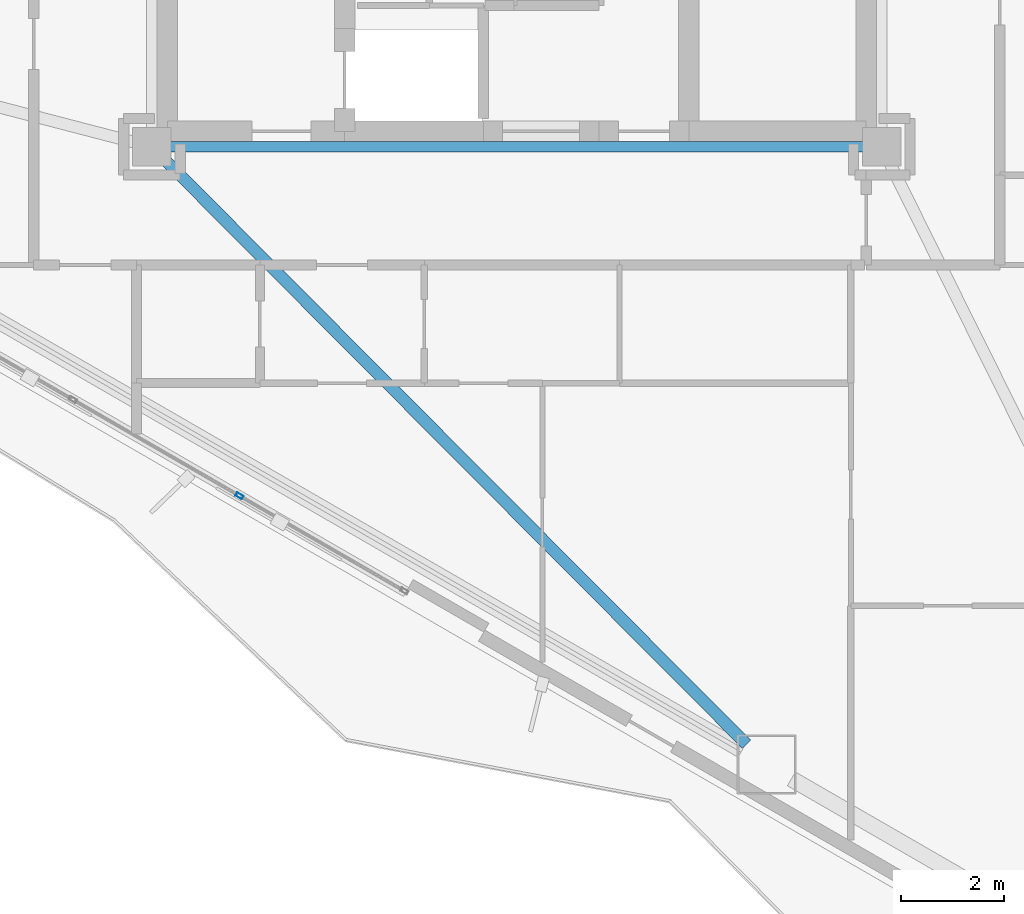
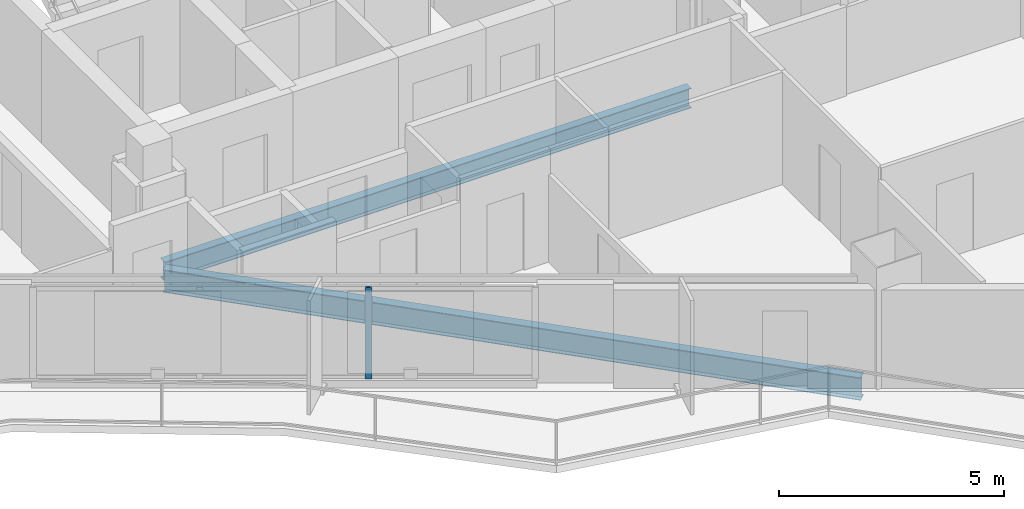
# One storey, part 4 of 22: 2 beams, 1 member, 1 element without a shape of its own.
"""IFC4 building model written with IfcOpenShell, lengths in metres."""

from ifc_helpers import new_model, si_unit, direction, frame, origin, origin_2d, place, context, subcontext, project, spatial, hollow_rectangle, i_section, extrude, material, layer, layer_set, material_profile, profile_set, type_object, element, aggregate, save


model = new_model("IFC4")

# Units and contexts
model_context = context("Model", 3, precision=1e-05, world=origin(), true_north=direction((0.0, 1.0)))
body_context = subcontext(model_context, "Body", "Model", "MODEL_VIEW")
ifc_project = project(units=[si_unit("LENGTHUNIT", "METRE"), si_unit("AREAUNIT", "SQUARE_METRE"), si_unit("VOLUMEUNIT", "CUBIC_METRE"), si_unit("PLANEANGLEUNIT", "RADIAN"), si_unit("MASSUNIT", "GRAM", prefix="KILO")], contexts=[model_context])

# Site, building, storey
site_placement = place(None, origin())
site = spatial("IfcSite", under=ifc_project, at=site_placement, CompositionType="ELEMENT")
building_placement = place(site_placement, origin())
building = spatial("IfcBuilding", under=site, at=building_placement, Name="Mersakhor Tower and Convention Hall", CompositionType="ELEMENT")
storey_placement = place(building_placement, frame((0.0, 0.0, 109.800048828125)))
storey = spatial("IfcBuildingStorey", under=building, at=storey_placement, Name="L30", CompositionType="ELEMENT", Elevation=109.800048828125)

# Beams
ifc_material_1 = material(Name="Steel S355", Category="steel")
ifc_material_profile_1 = material_profile(ifc_material_1, i_section(OverallWidth=0.2099609375, OverallDepth=0.53662109375, WebThickness=0.0107421875, FlangeThickness=0.017333984375, at=origin_2d()), Name="UB 533x210x101")
ifc_profile_set_1 = profile_set([ifc_material_profile_1], Name="Steel S355")
beam_type_1 = type_object("IfcBeamType", Name="BM-FB-533", PredefinedType="BEAM", material=ifc_profile_set_1)
beam_1_placement = place(storey_placement, frame((35.7451171875, 20.449951171875, -0.5185546875), z_axis=(-1.0, 0.0, 0.0), x_axis=(0.0, -1.0, 0.0)))
element("IfcBeam", 1, at=beam_1_placement, inside=storey, type_object=beam_type_1, Name="L30 Core Ring Tie Beam CRB-4", PredefinedType="BEAM", context=body_context, shape_type="SweptSolid", body=[
    extrude(i_section(OverallWidth=0.2099609375, OverallDepth=0.53662109375, WebThickness=0.0107421875, FlangeThickness=0.017333984375, at=origin_2d()), origin(), (0.0, 0.0, 1.0), 13.490234375),
])
ifc_material_2 = material(Name="Steel S355", Category="steel")
ifc_material_profile_2 = material_profile(ifc_material_2, i_section(OverallWidth=0.22900390625, OverallDepth=0.6123046875, WebThickness=0.011962890625, FlangeThickness=0.01953125, at=origin_2d()), Name="UB 610x229x125")
ifc_profile_set_2 = profile_set([ifc_material_profile_2], Name="Steel S355")
beam_type_2 = type_object("IfcBeamType", Name="BM-PR-610", PredefinedType="BEAM", material=ifc_profile_set_2)
beam_2_placement = place(storey_placement, frame((22.150390625, 20.198486328125, -0.55615234375), z_axis=(0.705400971754, -0.708808485452, 0.0), x_axis=(0.708808485452, 0.705400971754, 0.0)))
element("IfcBeam", 2, at=beam_2_placement, inside=storey, type_object=beam_type_2, Name="L30 Primary Floor Girder FG-5", PredefinedType="BEAM", context=body_context, shape_type="SweptSolid", body=[
    extrude(i_section(OverallWidth=0.22900390625, OverallDepth=0.6123046875, WebThickness=0.011962890625, FlangeThickness=0.01953125, at=origin_2d()), origin(), (0.0, 0.0, 1.0), 16.049072265625),
])

# Curtain wall, member
ifc_material_3 = material(Name="Dark solar low-E aluminium curtain wall", Category="aluminium")
ifc_layer = layer(ifc_material_3, 0.159912109375)
ifc_layer_set = layer_set([ifc_layer], Name="Dark solar low-E aluminium curtain wall")
curtain_wall_type = type_object("IfcCurtainWallType", Name="CW-SYS-01", PredefinedType="USERDEFINED", material=ifc_layer_set)
curtain_wall_placement = place(storey_placement, origin())
curtain_wall = element("IfcCurtainWall", 3, at=curtain_wall_placement, inside=storey, type_object=curtain_wall_type, Name="L30 Dark-Glass Curtain Wall F3-B2", ObjectType="CURTAIN WALL", PredefinedType="USERDEFINED")
ifc_material_4 = material(Name="Anodised aluminium EN AW-6063 T6", Category="aluminium")
ifc_material_profile_3 = material_profile(ifc_material_4, hollow_rectangle(XDim=0.074951171875, YDim=0.14990234375, WallThickness=0.00634765625, at=origin_2d()), Name="RHS 150x75x6.3")
ifc_profile_set_3 = profile_set([ifc_material_profile_3], Name="Anodised aluminium EN AW-6063 T6")
member_type = type_object("IfcMemberType", Name="CWM-150x75", PredefinedType="MULLION", material=ifc_profile_set_3)
member_placement = place(storey_placement, frame((23.603515625, 13.659912109375, 0.199951171875), z_axis=(0.0, 0.0, 1.0), x_axis=(-0.499997904985, -0.866026613339, 0.0)))
member = element("IfcMember", 4, at=member_placement, type_object=member_type, Name="CW-01 mullion 2", PredefinedType="MULLION", context=body_context, shape_type="SweptSolid", body=[
    extrude(hollow_rectangle(XDim=0.074951171875, YDim=0.14990234375, WallThickness=0.00634765625, at=origin_2d()), origin(), (0.0, 0.0, 1.0), 2.469970703125),
])
aggregate(curtain_wall, [member])

save(model, "model.ifc")
